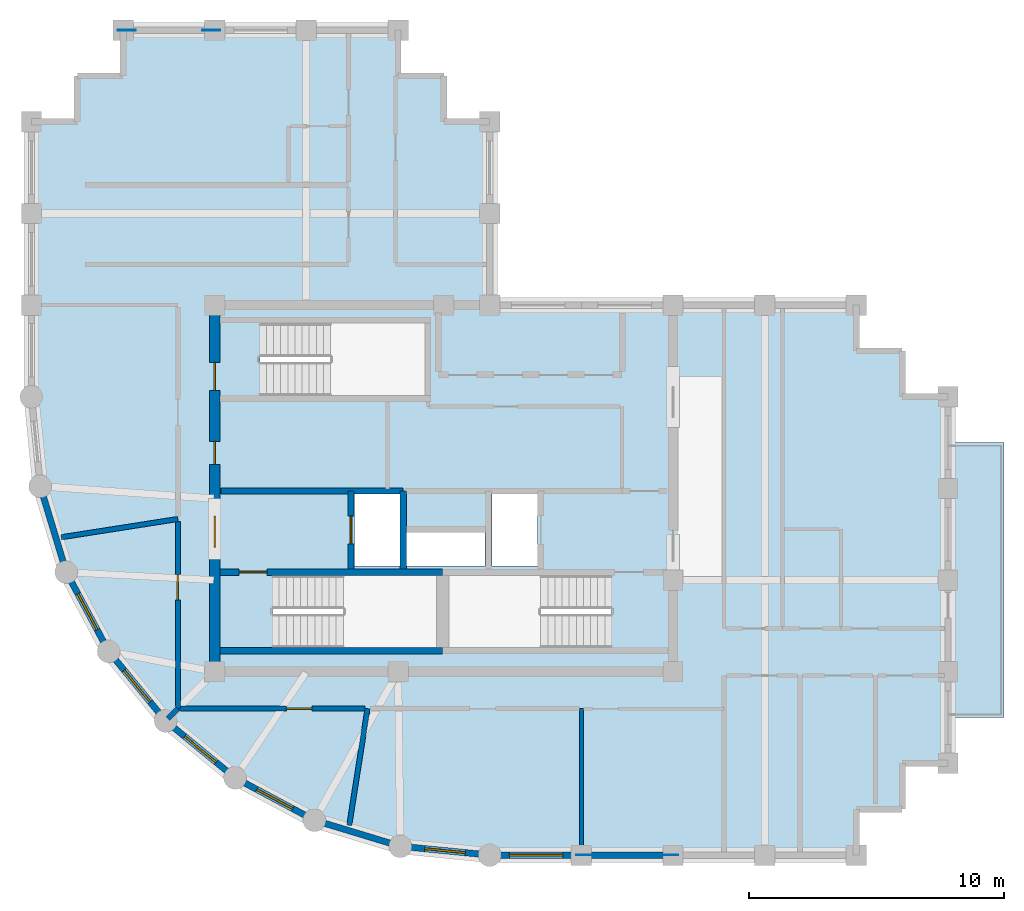
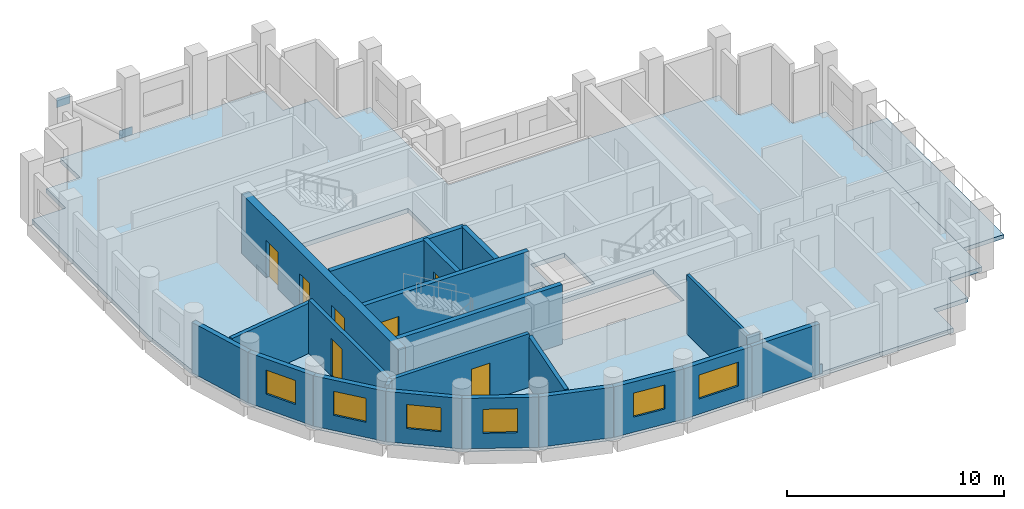
# One storey, part 2 of 6: 21 walls, 7 doors, 6 windows, 4 plates, 2 slabs, 13 openings.
"""IFC4 building model written with IfcOpenShell, lengths in metres."""

import ifcopenshell
import ifcopenshell.guid

model = None  # the IFC model being written
_history = None  # IfcOwnerHistory: only IFC2X3 demands one
_inside = {}  # id of a spatial element -> (the spatial element, [elements in it])
_under = {}  # id of a project, library or spatial element -> (it, [spatial elements below it])
_declared = {}  # id of a project -> (the project, [libraries it declares])
_typed = {}  # id of a type object -> (the type object, [elements of that type])
_made_of = {}  # id of a material, layer set ... -> (it, [elements and type objects made of it])


def new_model(schema):
    """Start an empty IFC model of exactly this schema.

    Asked for "IFC4X3", IfcOpenShell would pick the latest addendum, in which some entities
    have other attributes; the version numbers below select the first issue.
    IFC2X3 requires an IfcOwnerHistory on every rooted entity: one is made here for all.
    """
    global model, _history
    if schema == "IFC4X3":
        model = ifcopenshell.file(schema_version=(4, 3, 0, 0))
    else:
        model = ifcopenshell.file(schema=schema)
    _inside.clear()
    _under.clear()
    _declared.clear()
    _typed.clear()
    _made_of.clear()
    _history = None
    if model.schema == "IFC2X3":
        org = make("IfcOrganization", Name="unknown")
        user = make(
            "IfcPersonAndOrganization",
            ThePerson=make("IfcPerson", FamilyName="unknown"),
            TheOrganization=org,
        )
        app = make(
            "IfcApplication",
            ApplicationDeveloper=org,
            Version="unknown",
            ApplicationFullName="unknown",
            ApplicationIdentifier="unknown",
        )
        _history = make(
            "IfcOwnerHistory",
            OwningUser=user,
            OwningApplication=app,
            ChangeAction="ADDED",
            CreationDate=0,
        )
    return model


def make(cls, **values):
    """One entity of the class cls with the attributes given. An attribute that is None is left unset."""
    return model.create_entity(
        cls, **{name: value for name, value in values.items() if value is not None}
    )


def rooted(cls, **values):
    """An entity with a GlobalId (a new one), such as an element, a storey or a relation."""
    return make(cls, GlobalId=ifcopenshell.guid.new(), OwnerHistory=_history, **values)


def si_unit(unit_type, name, prefix=None):
    """IfcSIUnit, for example si_unit("LENGTHUNIT", "METRE", prefix="MILLI")."""
    return make("IfcSIUnit", UnitType=unit_type, Prefix=prefix, Name=name)


def assignment(units):
    """IfcUnitAssignment: the units of a project."""
    return None if units is None else make("IfcUnitAssignment", Units=units)


def point(xyz):
    """IfcCartesianPoint."""
    return None if xyz is None else make("IfcCartesianPoint", Coordinates=xyz)


def direction(xyz):
    """IfcDirection."""
    return None if xyz is None else make("IfcDirection", DirectionRatios=xyz)


def frame(location, z_axis=None, x_axis=None):
    """IfcAxis2Placement3D, a coordinate frame: its origin and axes. An axis left out is left unset."""
    return make(
        "IfcAxis2Placement3D",
        Location=point(location),
        Axis=direction(z_axis),
        RefDirection=direction(x_axis),
    )


def frame_2d(location, x_axis=None):
    """IfcAxis2Placement2D, a coordinate frame in the plane: its origin and x axis."""
    return make(
        "IfcAxis2Placement2D", Location=point(location), RefDirection=direction(x_axis)
    )


def origin():
    """The frame at (0, 0, 0) with its axes left unset."""
    return frame((0.0, 0.0, 0.0))


def origin_2d():
    """The frame at (0, 0) in the plane with its x axis left unset."""
    return frame_2d((0.0, 0.0))


def place(relative_to, where):
    """IfcLocalPlacement: puts the frame where relative to a parent placement (None: the world)."""
    return make(
        "IfcLocalPlacement", PlacementRelTo=relative_to, RelativePlacement=where
    )


def context(
    kind, dimensions, precision=None, world=None, true_north=None, identifier=None
):
    """IfcGeometricRepresentationContext, for example the 3D "Model" context."""
    return make(
        "IfcGeometricRepresentationContext",
        ContextIdentifier=identifier,
        ContextType=kind,
        CoordinateSpaceDimension=dimensions,
        Precision=precision,
        WorldCoordinateSystem=world,
        TrueNorth=true_north,
    )


def subcontext(parent, identifier, kind, view, scale=None):
    """IfcGeometricRepresentationSubContext, for example "Body" below "Model"."""
    return make(
        "IfcGeometricRepresentationSubContext",
        ContextIdentifier=identifier,
        ContextType=kind,
        ParentContext=parent,
        TargetScale=scale,
        TargetView=view,
    )


def project(units=None, contexts=None):
    """IfcProject with its units and contexts."""
    return rooted(
        "IfcProject",
        Name="project",
        RepresentationContexts=contexts,
        UnitsInContext=assignment(units),
    )


def spatial(cls, under=None, at=None, **own):
    """A site, building, storey or space (cls), placed at a placement, below another one or the project."""
    s = rooted(cls, ObjectPlacement=at, **own)
    if under is not None:
        _under.setdefault(under.id(), (under, []))[1].append(s)
    return s


def polyline(points):
    """IfcPolyline through the points."""
    return make("IfcPolyline", Points=[point(p) for p in points])


def profile(cls, at=None, kind="AREA", **sizes):
    """A parametric profile (cls). Its sizes go by their IFC names, for example OverallWidth=200.0."""
    return make(cls, ProfileType=kind, Position=at, **sizes)


def rectangle(**sizes):
    """IfcRectangleProfileDef."""
    return profile("IfcRectangleProfileDef", **sizes)


def outline(outer, holes=None, kind="AREA"):
    """IfcArbitraryClosedProfileDef: a profile drawn as a closed curve; with holes, ...WithVoids."""
    if holes is None:
        return make("IfcArbitraryClosedProfileDef", ProfileType=kind, OuterCurve=outer)
    return make(
        "IfcArbitraryProfileDefWithVoids",
        ProfileType=kind,
        OuterCurve=outer,
        InnerCurves=holes,
    )


def extrude(swept, where, along, depth):
    """IfcExtrudedAreaSolid: the profile swept, set in the frame where, extruded along a direction by depth."""
    return make(
        "IfcExtrudedAreaSolid",
        SweptArea=swept,
        Position=where,
        ExtrudedDirection=direction(along),
        Depth=depth,
    )


def shape(context_of_items, identifier, shape_type, items):
    """IfcShapeRepresentation: the items that make up one representation, for example the "Body"."""
    return make(
        "IfcShapeRepresentation",
        ContextOfItems=context_of_items,
        RepresentationIdentifier=identifier,
        RepresentationType=shape_type,
        Items=items,
    )


def material(Name=None, Category=None):
    """IfcMaterial."""
    return make("IfcMaterial", Name=Name, Category=Category)


def layer(
    of_material, thickness, ventilated=None, Name=None, Category=None, Priority=None
):
    """IfcMaterialLayer: one layer of a wall or slab, of a material (None: an air gap)."""
    return make(
        "IfcMaterialLayer",
        Material=of_material,
        LayerThickness=thickness,
        IsVentilated=ventilated,
        Name=Name,
        Category=Category,
        Priority=Priority,
    )


def layer_set(layers, Name=None):
    """IfcMaterialLayerSet."""
    return make("IfcMaterialLayerSet", MaterialLayers=layers, LayerSetName=Name)


def made_of(thing, what):
    """Note that an element or type object is made of a material, layer set ...; save() writes the relation."""
    if what is not None:
        _made_of.setdefault(what.id(), (what, []))[1].append(thing)
    return thing


def type_object(cls, material=None, **own):
    """A type object (cls), such as IfcWallType, which elements share."""
    return made_of(rooted(cls, **own), material)


def element(
    cls,
    number,
    at=None,
    inside=None,
    cuts=None,
    type_object=None,
    material=None,
    context=None,
    identifier="Body",
    shape_type=None,
    held_by="IfcProductDefinitionShape",
    body=None,
    shapes=None,
    **own,
):
    """One element of the class cls, such as IfcWall. Its Tag is "e" and its number.

    at: its placement. inside: the storey or other place that contains it. cuts: it is an
    opening in that element (IfcRelVoidsElement). A single representation is given by context,
    identifier, shape_type and body (its items); several are given by shapes. held_by: the class
    of the entity that holds the representations. save() writes the other relations.
    """
    e = rooted(cls, Tag="e%d" % number, ObjectPlacement=at, **own)
    if body is not None:
        shapes = [shape(context, identifier, shape_type, body)]
    if shapes is not None:
        e.Representation = make(held_by, Representations=shapes)
    if inside is not None:
        _inside.setdefault(inside.id(), (inside, []))[1].append(e)
    if cuts is not None:
        rooted(
            "IfcRelVoidsElement", RelatingBuildingElement=cuts, RelatedOpeningElement=e
        )
    if type_object is not None:
        _typed.setdefault(type_object.id(), (type_object, []))[1].append(e)
    return made_of(e, material)


def fill(opening, filler):
    """IfcRelFillsElement: the door or window that sits in an opening."""
    return rooted(
        "IfcRelFillsElement",
        RelatingOpeningElement=opening,
        RelatedBuildingElement=filler,
    )


def aggregate(whole, parts):
    """IfcRelAggregates: a whole, such as a stair, and the parts it consists of."""
    return rooted("IfcRelAggregates", RelatingObject=whole, RelatedObjects=parts)


def save(model, path):
    """Write the relations noted so far, then the file.

    IfcRelAggregates (storeys below a building ...), IfcRelContainedInSpatialStructure (elements
    in a storey), IfcRelDefinesByType, IfcRelAssociatesMaterial and IfcRelDeclares: one each for
    every whole, place, type object, material and project.
    """
    for whole, parts in _under.values():
        aggregate(whole, parts)
    for where, things in _inside.values():
        rooted(
            "IfcRelContainedInSpatialStructure",
            RelatedElements=things,
            RelatingStructure=where,
        )
    for kind, things in _typed.values():
        rooted("IfcRelDefinesByType", RelatedObjects=things, RelatingType=kind)
    for what, things in _made_of.values():
        rooted("IfcRelAssociatesMaterial", RelatedObjects=things, RelatingMaterial=what)
    for by, libraries in _declared.values():
        rooted("IfcRelDeclares", RelatingContext=by, RelatedDefinitions=libraries)
    model.write(path)


model = new_model("IFC4")

# Units and contexts
model_context = context("Model", 3, precision=1e-05, world=origin(), true_north=direction((0.0, 1.0)))
body_context = subcontext(model_context, "Body", "Model", "MODEL_VIEW")
ifc_project = project(units=[si_unit("LENGTHUNIT", "METRE"), si_unit("AREAUNIT", "SQUARE_METRE"), si_unit("VOLUMEUNIT", "CUBIC_METRE"), si_unit("PLANEANGLEUNIT", "RADIAN"), si_unit("MASSUNIT", "GRAM", prefix="KILO")], contexts=[model_context])

# Site, building, storey
site_placement = place(None, origin())
site = spatial("IfcSite", under=ifc_project, at=site_placement, CompositionType="ELEMENT")
building_placement = place(site_placement, origin())
building = spatial("IfcBuilding", under=site, at=building_placement, Name="Solnavia Interchange Tower", CompositionType="ELEMENT")
storey_placement = place(building_placement, frame((0.0, 0.0, 224.60009765625)))
storey = spatial("IfcBuildingStorey", under=building, at=storey_placement, Name="L56", CompositionType="ELEMENT", Elevation=224.60009765625)

# Plates
ifc_material_1 = material(Name="Steel S460", Category="steel")
ifc_layer_1 = layer(ifc_material_1, 0.030029296875)
ifc_layer_set_1 = layer_set([ifc_layer_1], Name="Steel S460")
plate_type = type_object("IfcPlateType", Name="Plate-Gusset-700x520x30", PredefinedType="USERDEFINED", material=ifc_layer_set_1)
for number, where, z_axis, x_axis, name in (
    (1, (32.260009765625, 3.60009765625, -0.080078125), (0.0, 0.0, 1.0), (-1.0, 0.0, 0.0), "PLT-L56-GP01 Perimeter brace gusset plate"),
    (2, (28.93994140625, 3.60009765625, 2.909912109375), (0.0, 0.0, 1.0), (-1.0, 0.0, 0.0), "PLT-L56-GP02 Perimeter brace gusset plate"),
    (3, (14.260009765625, 36.0, -0.080078125), (0.0, 0.0, 1.0), (-1.0, 0.0, 0.0), "PLT-L56-GP03 Perimeter brace gusset plate"),
    (4, (10.93994140625, 36.0, 2.909912109375), (0.0, 0.0, 1.0), (-1.0, 0.0, 0.0), "PLT-L56-GP04 Perimeter brace gusset plate"),
):
    element("IfcPlate", number, at=place(storey_placement, frame(where, z_axis=z_axis, x_axis=x_axis)), inside=storey, type_object=plate_type, Name=name, ObjectType="GUSSET PLATE", PredefinedType="USERDEFINED", context=body_context, shape_type="SweptSolid", body=[
        extrude(rectangle(XDim=0.699951171875, YDim=0.030029296875, at=origin_2d()), origin(), (0.0, 0.0, 1.0), 0.52001953125),
    ])

# Slabs
ifc_material_2 = material(Name="Concrete C40/50", Category="concrete")
ifc_layer_2 = layer(ifc_material_2, 0.219970703125)
ifc_layer_set_2 = layer_set([ifc_layer_2], Name="Concrete C40/50")
slab_type_1 = type_object("IfcSlabType", Name="Slab-Terrace-220", PredefinedType="FLOOR", material=ifc_layer_set_2)
slab_1_placement = place(storey_placement, frame((0.0, 0.0, -0.260009765625)))
element("IfcSlab", 5, at=slab_1_placement, inside=storey, type_object=slab_type_1, Name="TER-L56-01 Outdoor spiral terrace slab", PredefinedType="FLOOR", context=body_context, shape_type="SweptSolid", body=[
    extrude(outline(polyline([(43.199951171875, 9.0), (45.39990234375, 9.0), (45.39990234375, 19.800048828125), (43.199951171875, 19.800048828125), (43.199951171875, 9.0)])), origin(), (0.0, 0.0, 1.0), 0.219970703125),
])
ifc_layer_3 = layer(ifc_material_2, 0.25)
ifc_layer_set_3 = layer_set([ifc_layer_3], Name="Concrete C40/50")
slab_type_2 = type_object("IfcSlabType", Name="Slab-Tower-250", PredefinedType="FLOOR", material=ifc_layer_set_3)
slab_2_placement = place(storey_placement, frame((0.0, 0.0, -0.25)))
element("IfcSlab", 6, at=slab_2_placement, inside=storey, type_object=slab_type_2, Name="SLB-L56-01 Structural floor slab", PredefinedType="FLOOR", context=body_context, shape_type="SweptSolid", body=[
    extrude(outline(polyline([(25.199951171875, 3.60009765625), (39.60009765625, 3.60009765625), (39.60009765625, 5.39990234375), (41.39990234375, 5.39990234375), (41.39990234375, 7.199951171875), (43.199951171875, 7.199951171875), (43.199951171875, 21.60009765625), (41.39990234375, 21.60009765625), (41.39990234375, 23.39990234375), (39.60009765625, 23.39990234375), (39.60009765625, 25.199951171875), (25.199951171875, 25.199951171875), (25.199951171875, 32.39990234375), (23.39990234375, 32.39990234375), (23.39990234375, 34.199951171875), (21.60009765625, 34.199951171875), (21.60009765625, 36.0), (10.800048828125, 36.0), (10.800048828125, 34.199951171875), (9.0, 34.199951171875), (9.0, 32.39990234375), (7.199951171875, 32.39990234375), (7.199951171875, 21.60009765625), (7.5458984375, 18.087890625), (8.570068359375, 14.7119140625), (10.23388671875, 11.60009765625), (12.471923828125, 8.8720703125), (15.199951171875, 6.634033203125), (18.31201171875, 4.969970703125), (21.68798828125, 3.946044921875), (25.199951171875, 3.60009765625)]), holes=[polyline([(16.675048828125, 11.75), (23.10009765625, 11.75), (23.10009765625, 14.590087890625), (16.675048828125, 14.590087890625), (16.675048828125, 11.75)]), polyline([(23.60009765625, 11.75), (29.97509765625, 11.75), (29.97509765625, 14.590087890625), (23.60009765625, 14.590087890625), (23.60009765625, 11.75)]), polyline([(16.175048828125, 21.64990234375), (22.64990234375, 21.64990234375), (22.64990234375, 24.489990234375), (16.175048828125, 24.489990234375), (16.175048828125, 21.64990234375)]), polyline([(19.8798828125, 14.9599609375), (21.679931640625, 14.9599609375), (21.679931640625, 17.780029296875), (19.8798828125, 17.780029296875), (19.8798828125, 14.9599609375)]), polyline([(25.280029296875, 14.9599609375), (27.080078125, 14.9599609375), (27.080078125, 17.780029296875), (25.280029296875, 17.780029296875), (25.280029296875, 14.9599609375)]), polyline([(21.919921875, 14.9599609375), (25.02001953125, 14.9599609375), (25.02001953125, 16.280029296875), (21.919921875, 16.280029296875), (21.919921875, 14.9599609375)])]), origin(), (0.0, 0.0, 1.0), 0.25),
])

# Walls
ifc_material_3 = material(Name="Gypsum Acoustic Twin-Stud & Mineral Wool", Category="gypsum")
ifc_layer_4 = layer(ifc_material_3, 0.199951171875)
ifc_layer_set_4 = layer_set([ifc_layer_4], Name="Gypsum Acoustic Twin-Stud & Mineral Wool")
wall_type_1 = type_object("IfcWallType", Name="Wall-ApartmentParty-200", PredefinedType="PARTITIONING", material=ifc_layer_set_4)
wall_1_placement = place(storey_placement, frame((12.949951171875, 16.800048828125, 0.0), z_axis=(0.0, 0.0, 1.0), x_axis=(-0.9879733582, -0.154624200844, 0.0)))
element("IfcWall", 7, at=wall_1_placement, inside=storey, type_object=wall_type_1, Name="PTW-L56-09 Interior partition wall", PredefinedType="PARTITIONING", context=body_context, shape_type="SweptSolid", body=[
    extrude(rectangle(XDim=4.63720703125, YDim=0.199951171875, at=frame_2d((2.318603515625, 0.0))), origin(), (0.0, 0.0, 1.0), 2.829833984375),
])
wall_2_placement = place(storey_placement, frame((12.949951171875, 9.35009765625, 0.0), z_axis=(0.0, 0.0, 1.0), x_axis=(-0.706883613527, -0.707329878435, 0.0)))
element("IfcWall", 8, at=wall_2_placement, inside=storey, type_object=wall_type_1, Name="PTW-L56-10 Interior partition wall", PredefinedType="PARTITIONING", context=body_context, shape_type="SweptSolid", body=[
    extrude(rectangle(XDim=0.547119140625, YDim=0.199951171875, at=frame_2d((0.2734375, 0.0))), origin(), (0.0, 0.0, 1.0), 3.02001953125),
])
wall_3_placement = place(storey_placement, frame((20.39990234375, 9.35009765625, 0.0), z_axis=(0.0, 0.0, 1.0), x_axis=(-0.154564772307, -0.987982657318, 0.0)))
element("IfcWall", 9, at=wall_3_placement, inside=storey, type_object=wall_type_1, Name="PTW-L56-11 Interior partition wall", PredefinedType="PARTITIONING", context=body_context, shape_type="SweptSolid", body=[
    extrude(rectangle(XDim=4.637451171875, YDim=0.199951171875, at=frame_2d((2.31884765625, 0.0))), origin(), (0.0, 0.0, 1.0), 2.829833984375),
])

# Wall, opening, door
wall_4_placement = place(storey_placement, frame((12.949951171875, 9.35009765625, 0.0), z_axis=(0.0, 0.0, 1.0), x_axis=(0.0, 1.0, 0.0)))
wall_4 = element("IfcWall", 10, at=wall_4_placement, inside=storey, type_object=wall_type_1, Name="PTW-L56-13 Interior partition wall", PredefinedType="PARTITIONING", context=body_context, shape_type="SweptSolid", body=[
    extrude(rectangle(XDim=7.345947265625, YDim=0.199951171875, at=frame_2d((3.6728515625, 0.0))), origin(), (0.0, 0.0, 1.0), 3.02001953125),
])
opening_1_placement = place(wall_4_placement, frame((4.260986328125, 0.0, 0.0)))
opening_1 = element("IfcOpeningElement", 11, at=opening_1_placement, cuts=wall_4, Name="Opening DR-07", PredefinedType="OPENING", context=body_context, shape_type="SweptSolid", body=[
    extrude(rectangle(XDim=1.0, YDim=2.10009765625, at=frame_2d((0.5, 1.050048828125))), frame((0.0, 0.10986328125, 0.0), z_axis=(0.0, -1.0, 0.0), x_axis=(1.0, 0.0, 0.0)), (0.0, 0.0, 1.0), 0.219970703125),
])
ifc_material_4 = material(Name="Timber & Acoustic Glazed Office Door", Category="wood")
door_type_1 = type_object("IfcDoorType", Name="Door-Office-1000x2100", OperationType="SINGLE_SWING_RIGHT", PredefinedType="DOOR", material=ifc_material_4)
door_1_placement = place(opening_1_placement, origin())
door_1 = element("IfcDoor", 12, at=door_1_placement, inside=storey, type_object=door_type_1, Name="DR-L56-04 Interior room door", OperationType="SINGLE_SWING_RIGHT", OverallHeight=2.10009765625, OverallWidth=1.0, PredefinedType="DOOR", context=body_context, shape_type="SweptSolid", body=[
    extrude(rectangle(XDim=1.0, YDim=2.10009765625, at=frame_2d((0.5, 1.050048828125))), frame((0.0, 0.02490234375, 0.0), z_axis=(0.0, -1.0, 0.0), x_axis=(1.0, 0.0, 0.0)), (0.0, 0.0, 1.0), 0.050048828125),
])
fill(opening_1, door_1)

wall_5_placement = place(storey_placement, frame((12.949951171875, 9.35009765625, 0.0), z_axis=(0.0, 0.0, 1.0), x_axis=(1.0, 0.0, 0.0)))
wall_5 = element("IfcWall", 13, at=wall_5_placement, inside=storey, type_object=wall_type_1, Name="PTW-L56-14 Interior partition wall", PredefinedType="PARTITIONING", context=body_context, shape_type="SweptSolid", body=[
    extrude(rectangle(XDim=7.345947265625, YDim=0.199951171875, at=frame_2d((3.6728515625, 0.0))), origin(), (0.0, 0.0, 1.0), 3.02001953125),
])
opening_2_placement = place(wall_5_placement, frame((4.260986328125, 0.0, 0.0)))
opening_2 = element("IfcOpeningElement", 14, at=opening_2_placement, cuts=wall_5, Name="Opening DR-07", PredefinedType="OPENING", context=body_context, shape_type="SweptSolid", body=[
    extrude(rectangle(XDim=1.0, YDim=2.10009765625, at=frame_2d((0.5, 1.050048828125))), frame((0.0, 0.10986328125, 0.0), z_axis=(0.0, -1.0, 0.0), x_axis=(1.0, 0.0, 0.0)), (0.0, 0.0, 1.0), 0.219970703125),
])
door_2_placement = place(opening_2_placement, origin())
door_2 = element("IfcDoor", 15, at=door_2_placement, inside=storey, type_object=door_type_1, Name="DR-L56-05 Interior room door", OperationType="SINGLE_SWING_LEFT", OverallHeight=2.10009765625, OverallWidth=1.0, PredefinedType="DOOR", context=body_context, shape_type="SweptSolid", body=[
    extrude(rectangle(XDim=1.0, YDim=2.10009765625, at=frame_2d((0.5, 1.050048828125))), frame((0.0, 0.02490234375, 0.0), z_axis=(0.0, -1.0, 0.0), x_axis=(1.0, 0.0, 0.0)), (0.0, 0.0, 1.0), 0.050048828125),
])
fill(opening_2, door_2)

# Wall, opening, window
ifc_layer_5 = layer(ifc_material_2, 0.25)
ifc_layer_set_5 = layer_set([ifc_layer_5], Name="Concrete C40/50")
wall_type_2 = type_object("IfcWallType", Name="Wall-ExtSpandrel-250", PredefinedType="STANDARD", material=ifc_layer_set_5)
wall_6_placement = place(storey_placement, frame((28.800048828125, 3.60009765625, 0.0), z_axis=(0.0, 0.0, 1.0), x_axis=(-1.0, 0.0, 0.0)))
wall_6 = element("IfcWall", 16, at=wall_6_placement, inside=storey, type_object=wall_type_2, Name="EXW-L56-01 Exterior precast spandrel wall", PredefinedType="STANDARD", context=body_context, shape_type="SweptSolid", body=[
    extrude(rectangle(XDim=3.60009765625, YDim=0.25, at=frame_2d((1.800048828125, 0.0))), origin(), (0.0, 0.0, 1.0), 2.829833984375),
])
opening_3_placement = place(wall_6_placement, frame((0.72509765625, 0.0, 0.85009765625)))
opening_3 = element("IfcOpeningElement", 17, at=opening_3_placement, cuts=wall_6, Name="Opening WIN-01", PredefinedType="OPENING", context=body_context, shape_type="SweptSolid", body=[
    extrude(rectangle(XDim=2.10009765625, YDim=1.35009765625, at=frame_2d((1.050048828125, 0.675048828125))), frame((0.0, 0.135009765625, 0.0), z_axis=(0.0, -1.0, 0.0), x_axis=(1.0, 0.0, 0.0)), (0.0, 0.0, 1.0), 0.27001953125),
])
ifc_material_5 = material(Name="Thermal-Break Aluminium & Low-E Glass", Category="aluminium")
window_type_1 = type_object("IfcWindowType", Name="Window-Ribbon-2100x1350", PartitioningType="SINGLE_PANEL", PredefinedType="WINDOW", material=ifc_material_5)
window_1_placement = place(opening_3_placement, origin())
window_1 = element("IfcWindow", 18, at=window_1_placement, inside=storey, type_object=window_type_1, Name="WIN-L56-01 Facade ribbon window", OverallHeight=1.35009765625, OverallWidth=2.10009765625, PartitioningType="SINGLE_PANEL", PredefinedType="WINDOW", context=body_context, shape_type="SweptSolid", body=[
    extrude(rectangle(XDim=2.10009765625, YDim=1.35009765625, at=frame_2d((1.050048828125, 0.675048828125))), frame((0.0, 0.030029296875, 0.0), z_axis=(0.0, -1.0, 0.0), x_axis=(1.0, 0.0, 0.0)), (0.0, 0.0, 1.0), 0.06005859375),
])
fill(opening_3, window_1)

# Walls
wall_7_placement = place(storey_placement, frame((32.39990234375, 3.60009765625, 0.0), z_axis=(0.0, 0.0, 1.0), x_axis=(-1.0, 0.0, 0.0)))
element("IfcWall", 19, at=wall_7_placement, inside=storey, type_object=wall_type_2, Name="EXW-L56-02 Exterior precast spandrel wall", PredefinedType="STANDARD", context=body_context, shape_type="SweptSolid", body=[
    extrude(rectangle(XDim=3.599853515625, YDim=0.25, at=frame_2d((1.7998046875, 0.0))), origin(), (0.0, 0.0, 1.0), 2.829833984375),
])
wall_8_placement = place(storey_placement, frame((8.570068359375, 14.7119140625, 0.0), z_axis=(0.0, 0.0, 1.0), x_axis=(-0.290305086481, 0.956934144423, 0.0)))
element("IfcWall", 20, at=wall_8_placement, inside=storey, type_object=wall_type_2, Name="EXW-L56-38 Exterior precast spandrel wall", PredefinedType="STANDARD", context=body_context, shape_type="SweptSolid", body=[
    extrude(rectangle(XDim=3.52783203125, YDim=0.25, at=frame_2d((1.763916015625, 0.0))), origin(), (0.0, 0.0, 1.0), 2.829833984375),
])

# Wall, opening, window
wall_9_placement = place(storey_placement, frame((10.23388671875, 11.60009765625, 0.0), z_axis=(0.0, 0.0, 1.0), x_axis=(-0.47151087309, 0.881860247748, 0.0)))
wall_9 = element("IfcWall", 21, at=wall_9_placement, inside=storey, type_object=wall_type_2, Name="EXW-L56-39 Exterior precast spandrel wall", PredefinedType="STANDARD", context=body_context, shape_type="SweptSolid", body=[
    extrude(rectangle(XDim=3.52880859375, YDim=0.25, at=frame_2d((1.764404296875, 0.0))), origin(), (0.0, 0.0, 1.0), 2.829833984375),
])
opening_4_placement = place(wall_9_placement, frame((0.964111328125, 0.0, 0.85009765625)))
opening_4 = element("IfcOpeningElement", 22, at=opening_4_placement, cuts=wall_9, Name="Opening WIN-04", PredefinedType="OPENING", context=body_context, shape_type="SweptSolid", body=[
    extrude(rectangle(XDim=1.60009765625, YDim=1.35009765625, at=frame_2d((0.800048828125, 0.675048828125))), frame((0.0, 0.135009765625, 0.0), z_axis=(0.0, -1.0, 0.0), x_axis=(1.0, 0.0, 0.0)), (0.0, 0.0, 1.0), 0.27001953125),
])
window_type_2 = type_object("IfcWindowType", Name="Window-Drum-1600x1350", PartitioningType="SINGLE_PANEL", PredefinedType="WINDOW", material=ifc_material_5)
window_2_placement = place(opening_4_placement, origin())
window_2 = element("IfcWindow", 23, at=window_2_placement, inside=storey, type_object=window_type_2, Name="WIN-L56-39 Facade ribbon window", OverallHeight=1.35009765625, OverallWidth=1.60009765625, PartitioningType="SINGLE_PANEL", PredefinedType="WINDOW", context=body_context, shape_type="SweptSolid", body=[
    extrude(rectangle(XDim=1.60009765625, YDim=1.35009765625, at=frame_2d((0.800048828125, 0.675048828125))), frame((0.0, 0.030029296875, 0.0), z_axis=(0.0, -1.0, 0.0), x_axis=(1.0, 0.0, 0.0)), (0.0, 0.0, 1.0), 0.06005859375),
])
fill(opening_4, window_2)

wall_10_placement = place(storey_placement, frame((12.471923828125, 8.8720703125, 0.0), z_axis=(0.0, 0.0, 1.0), x_axis=(-0.634258295121, 0.773121216285, 0.0)))
wall_10 = element("IfcWall", 24, at=wall_10_placement, inside=storey, type_object=wall_type_2, Name="EXW-L56-40 Exterior precast spandrel wall", PredefinedType="STANDARD", context=body_context, shape_type="SweptSolid", body=[
    extrude(rectangle(XDim=3.528564453125, YDim=0.25, at=frame_2d((1.76416015625, 0.0))), origin(), (0.0, 0.0, 1.0), 2.829833984375),
])
opening_5_placement = place(wall_10_placement, frame((0.964111328125, 0.0, 0.85009765625)))
opening_5 = element("IfcOpeningElement", 25, at=opening_5_placement, cuts=wall_10, Name="Opening WIN-04", PredefinedType="OPENING", context=body_context, shape_type="SweptSolid", body=[
    extrude(rectangle(XDim=1.60009765625, YDim=1.35009765625, at=frame_2d((0.800048828125, 0.675048828125))), frame((0.0, 0.135009765625, 0.0), z_axis=(0.0, -1.0, 0.0), x_axis=(1.0, 0.0, 0.0)), (0.0, 0.0, 1.0), 0.27001953125),
])
window_3_placement = place(opening_5_placement, origin())
window_3 = element("IfcWindow", 26, at=window_3_placement, inside=storey, type_object=window_type_2, Name="WIN-L56-40 Facade ribbon window", OverallHeight=1.35009765625, OverallWidth=1.60009765625, PartitioningType="SINGLE_PANEL", PredefinedType="WINDOW", context=body_context, shape_type="SweptSolid", body=[
    extrude(rectangle(XDim=1.60009765625, YDim=1.35009765625, at=frame_2d((0.800048828125, 0.675048828125))), frame((0.0, 0.030029296875, 0.0), z_axis=(0.0, -1.0, 0.0), x_axis=(1.0, 0.0, 0.0)), (0.0, 0.0, 1.0), 0.06005859375),
])
fill(opening_5, window_3)

wall_11_placement = place(storey_placement, frame((15.199951171875, 6.634033203125, 0.0), z_axis=(0.0, 0.0, 1.0), x_axis=(-0.773121216285, 0.634258295121, 0.0)))
wall_11 = element("IfcWall", 27, at=wall_11_placement, inside=storey, type_object=wall_type_2, Name="EXW-L56-41 Exterior precast spandrel wall", PredefinedType="STANDARD", context=body_context, shape_type="SweptSolid", body=[
    extrude(rectangle(XDim=3.528564453125, YDim=0.25, at=frame_2d((1.76416015625, 0.0))), origin(), (0.0, 0.0, 1.0), 2.829833984375),
])
opening_6_placement = place(wall_11_placement, frame((0.964111328125, 0.0, 0.85009765625)))
opening_6 = element("IfcOpeningElement", 28, at=opening_6_placement, cuts=wall_11, Name="Opening WIN-04", PredefinedType="OPENING", context=body_context, shape_type="SweptSolid", body=[
    extrude(rectangle(XDim=1.60009765625, YDim=1.35009765625, at=frame_2d((0.800048828125, 0.675048828125))), frame((0.0, 0.135009765625, 0.0), z_axis=(0.0, -1.0, 0.0), x_axis=(1.0, 0.0, 0.0)), (0.0, 0.0, 1.0), 0.27001953125),
])
window_4_placement = place(opening_6_placement, origin())
window_4 = element("IfcWindow", 29, at=window_4_placement, inside=storey, type_object=window_type_2, Name="WIN-L56-41 Facade ribbon window", OverallHeight=1.35009765625, OverallWidth=1.60009765625, PartitioningType="SINGLE_PANEL", PredefinedType="WINDOW", context=body_context, shape_type="SweptSolid", body=[
    extrude(rectangle(XDim=1.60009765625, YDim=1.35009765625, at=frame_2d((0.800048828125, 0.675048828125))), frame((0.0, 0.030029296875, 0.0), z_axis=(0.0, -1.0, 0.0), x_axis=(1.0, 0.0, 0.0)), (0.0, 0.0, 1.0), 0.06005859375),
])
fill(opening_6, window_4)

wall_12_placement = place(storey_placement, frame((18.31201171875, 4.969970703125, 0.0), z_axis=(0.0, 0.0, 1.0), x_axis=(-0.881846862014, 0.471535907389, 0.0)))
wall_12 = element("IfcWall", 30, at=wall_12_placement, inside=storey, type_object=wall_type_2, Name="EXW-L56-42 Exterior precast spandrel wall", PredefinedType="STANDARD", context=body_context, shape_type="SweptSolid", body=[
    extrude(rectangle(XDim=3.529052734375, YDim=0.25, at=frame_2d((1.7646484375, 0.0))), origin(), (0.0, 0.0, 1.0), 2.829833984375),
])
opening_7_placement = place(wall_12_placement, frame((0.964111328125, 0.0, 0.85009765625)))
opening_7 = element("IfcOpeningElement", 31, at=opening_7_placement, cuts=wall_12, Name="Opening WIN-04", PredefinedType="OPENING", context=body_context, shape_type="SweptSolid", body=[
    extrude(rectangle(XDim=1.60009765625, YDim=1.35009765625, at=frame_2d((0.800048828125, 0.675048828125))), frame((0.0, 0.135009765625, 0.0), z_axis=(0.0, -1.0, 0.0), x_axis=(1.0, 0.0, 0.0)), (0.0, 0.0, 1.0), 0.27001953125),
])
window_5_placement = place(opening_7_placement, origin())
window_5 = element("IfcWindow", 32, at=window_5_placement, inside=storey, type_object=window_type_2, Name="WIN-L56-42 Facade ribbon window", OverallHeight=1.35009765625, OverallWidth=1.60009765625, PartitioningType="SINGLE_PANEL", PredefinedType="WINDOW", context=body_context, shape_type="SweptSolid", body=[
    extrude(rectangle(XDim=1.60009765625, YDim=1.35009765625, at=frame_2d((0.800048828125, 0.675048828125))), frame((0.0, 0.030029296875, 0.0), z_axis=(0.0, -1.0, 0.0), x_axis=(1.0, 0.0, 0.0)), (0.0, 0.0, 1.0), 0.06005859375),
])
fill(opening_7, window_5)

# Wall
wall_13_placement = place(storey_placement, frame((21.68798828125, 3.946044921875, 0.0), z_axis=(0.0, 0.0, 1.0), x_axis=(-0.956953367403, 0.290241714123, 0.0)))
element("IfcWall", 33, at=wall_13_placement, inside=storey, type_object=wall_type_2, Name="EXW-L56-43 Exterior precast spandrel wall", PredefinedType="STANDARD", context=body_context, shape_type="SweptSolid", body=[
    extrude(rectangle(XDim=3.52783203125, YDim=0.25, at=frame_2d((1.763916015625, 0.0))), origin(), (0.0, 0.0, 1.0), 2.829833984375),
])

# Wall, opening, window
wall_14_placement = place(storey_placement, frame((25.199951171875, 3.60009765625, 0.0), z_axis=(0.0, 0.0, 1.0), x_axis=(-0.995183369056, 0.098030923459, 0.0)))
wall_14 = element("IfcWall", 34, at=wall_14_placement, inside=storey, type_object=wall_type_2, Name="EXW-L56-44 Exterior precast spandrel wall", PredefinedType="STANDARD", context=body_context, shape_type="SweptSolid", body=[
    extrude(rectangle(XDim=3.529052734375, YDim=0.25, at=frame_2d((1.7646484375, 0.0))), origin(), (0.0, 0.0, 1.0), 2.829833984375),
])
opening_8_placement = place(wall_14_placement, frame((0.965087890625, 0.0, 0.85009765625)))
opening_8 = element("IfcOpeningElement", 35, at=opening_8_placement, cuts=wall_14, Name="Opening WIN-04", PredefinedType="OPENING", context=body_context, shape_type="SweptSolid", body=[
    extrude(rectangle(XDim=1.60009765625, YDim=1.35009765625, at=frame_2d((0.800048828125, 0.675048828125))), frame((0.0, 0.135009765625, 0.0), z_axis=(0.0, -1.0, 0.0), x_axis=(1.0, 0.0, 0.0)), (0.0, 0.0, 1.0), 0.27001953125),
])
window_6_placement = place(opening_8_placement, origin())
window_6 = element("IfcWindow", 36, at=window_6_placement, inside=storey, type_object=window_type_2, Name="WIN-L56-44 Facade ribbon window", OverallHeight=1.35009765625, OverallWidth=1.60009765625, PartitioningType="SINGLE_PANEL", PredefinedType="WINDOW", context=body_context, shape_type="SweptSolid", body=[
    extrude(rectangle(XDim=1.60009765625, YDim=1.35009765625, at=frame_2d((0.800048828125, 0.675048828125))), frame((0.0, 0.030029296875, 0.0), z_axis=(0.0, -1.0, 0.0), x_axis=(1.0, 0.0, 0.0)), (0.0, 0.0, 1.0), 0.06005859375),
])
fill(opening_8, window_6)

# Walls
ifc_material_6 = material(Name="Gypsum Plasterboard & Steel Stud", Category="steel")
ifc_layer_6 = layer(ifc_material_6, 0.14990234375)
ifc_layer_set_6 = layer_set([ifc_layer_6], Name="Gypsum Plasterboard & Steel Stud")
wall_type_3 = type_object("IfcWallType", Name="Wall-Partition-150", PredefinedType="PARTITIONING", material=ifc_layer_set_6)
wall_15_placement = place(storey_placement, frame((28.800048828125, 9.35009765625, 0.0), z_axis=(0.0, 0.0, 1.0), x_axis=(0.0, -1.0, 0.0)))
element("IfcWall", 37, at=wall_15_placement, inside=storey, type_object=wall_type_3, Name="PTW-L56-08 Interior partition wall", PredefinedType="PARTITIONING", context=body_context, shape_type="SweptSolid", body=[
    extrude(rectangle(XDim=5.62109375, YDim=0.14990234375, at=frame_2d((2.810546875, 0.0))), origin(), (0.0, 0.0, 1.0), 3.3349609375),
])
ifc_layer_7 = layer(ifc_material_2, 0.25)
ifc_layer_set_7 = layer_set([ifc_layer_7], Name="Concrete C40/50")
wall_type_4 = type_object("IfcWallType", Name="Wall-ShaftCore-250", PredefinedType="SHEAR", material=ifc_layer_set_7)
wall_16_placement = place(storey_placement, frame((14.60009765625, 11.625, 0.0), z_axis=(0.0, 0.0, 1.0), x_axis=(1.0, 0.0, 0.0)))
element("IfcWall", 38, at=wall_16_placement, inside=storey, type_object=wall_type_4, Name="SHW-L56-ST1S Core shear wall", PredefinedType="SHEAR", context=body_context, shape_type="SweptSolid", body=[
    extrude(rectangle(XDim=8.75, YDim=0.25, at=frame_2d((4.375, 0.0))), origin(), (0.0, 0.0, 1.0), 3.349853515625),
])

# Wall, opening, door
wall_17_placement = place(storey_placement, frame((14.60009765625, 14.715087890625, 0.0), z_axis=(0.0, 0.0, 1.0), x_axis=(1.0, 0.0, 0.0)))
wall_17 = element("IfcWall", 39, at=wall_17_placement, inside=storey, type_object=wall_type_4, Name="SHW-L56-ST1N Core shear wall", PredefinedType="SHEAR", context=body_context, shape_type="SweptSolid", body=[
    extrude(rectangle(XDim=8.75, YDim=0.25, at=frame_2d((4.375, 0.0))), origin(), (0.0, 0.0, 1.0), 3.349853515625),
])
opening_9_placement = place(wall_17_placement, frame((0.7548828125, 0.0, 0.0)))
opening_9 = element("IfcOpeningElement", 40, at=opening_9_placement, cuts=wall_17, Name="Opening DR-01", PredefinedType="OPENING", context=body_context, shape_type="SweptSolid", body=[
    extrude(rectangle(XDim=1.10009765625, YDim=2.10009765625, at=frame_2d((0.550048828125, 1.050048828125))), frame((0.0, 0.135009765625, 0.0), z_axis=(0.0, -1.0, 0.0), x_axis=(1.0, 0.0, 0.0)), (0.0, 0.0, 1.0), 0.27001953125),
])
ifc_material_7 = material(Name="Steel Fire-Rated Leaf & Frame", Category="steel")
door_type_2 = type_object("IfcDoorType", Name="Door-StairFire-1100x2100", OperationType="SINGLE_SWING_LEFT", PredefinedType="DOOR", material=ifc_material_7)
door_3_placement = place(opening_9_placement, origin())
door_3 = element("IfcDoor", 41, at=door_3_placement, inside=storey, type_object=door_type_2, Name="DR-L56-ST1 Core fire door", OperationType="SINGLE_SWING_LEFT", OverallHeight=2.10009765625, OverallWidth=1.10009765625, PredefinedType="DOOR", context=body_context, shape_type="SweptSolid", body=[
    extrude(rectangle(XDim=1.10009765625, YDim=2.10009765625, at=frame_2d((0.550048828125, 1.050048828125))), frame((0.0, 0.02490234375, 0.0), z_axis=(0.0, -1.0, 0.0), x_axis=(1.0, 0.0, 0.0)), (0.0, 0.0, 1.0), 0.050048828125),
])
fill(opening_9, door_3)

# Wall
ifc_layer_8 = layer(ifc_material_2, 0.25)
ifc_layer_set_8 = layer_set([ifc_layer_8], Name="Concrete C40/50")
wall_type_5 = type_object("IfcWallType", Name="Wall-ShaftPart-250", PredefinedType="PARTITIONING", material=ifc_layer_set_8)
wall_18_placement = place(storey_placement, frame((14.64990234375, 17.89990234375, 0.0), z_axis=(0.0, 0.0, 1.0), x_axis=(1.0, 0.0, 0.0)))
element("IfcWall", 42, at=wall_18_placement, inside=storey, type_object=wall_type_5, Name="SHW-L56-FFLW-N Core shaft wall", PredefinedType="PARTITIONING", context=body_context, shape_type="SweptSolid", body=[
    extrude(rectangle(XDim=7.150146484375, YDim=0.25, at=frame_2d((3.5751953125, 0.0))), origin(), (0.0, 0.0, 1.0), 3.3349609375),
])

# Wall, opening, door
wall_19_placement = place(storey_placement, frame((19.75, 14.840087890625, 0.0), z_axis=(0.0, 0.0, 1.0), x_axis=(0.0, 1.0, 0.0)))
wall_19 = element("IfcWall", 43, at=wall_19_placement, inside=storey, type_object=wall_type_5, Name="SHW-L56-FFL1-W Core shaft wall", PredefinedType="PARTITIONING", context=body_context, shape_type="SweptSolid", body=[
    extrude(rectangle(XDim=3.059814453125, YDim=0.25, at=frame_2d((1.52978515625, 0.0))), origin(), (0.0, 0.0, 1.0), 3.3349609375),
])
opening_10_placement = place(wall_19_placement, frame((0.97998046875, 0.0, 0.0)))
opening_10 = element("IfcOpeningElement", 44, at=opening_10_placement, cuts=wall_19, Name="Opening LD-01", PredefinedType="OPENING", context=body_context, shape_type="SweptSolid", body=[
    extrude(rectangle(XDim=1.10009765625, YDim=2.10009765625, at=frame_2d((0.550048828125, 1.050048828125))), frame((0.0, 0.135009765625, 0.0), z_axis=(0.0, -1.0, 0.0), x_axis=(1.0, 0.0, 0.0)), (0.0, 0.0, 1.0), 0.27001953125),
])
ifc_material_8 = material(Name="Brushed Stainless Steel Sliding Door", Category="steel")
door_type_3 = type_object("IfcDoorType", Name="Door-LiftLanding-1100x2100", OperationType="SLIDING_TO_LEFT", PredefinedType="DOOR", material=ifc_material_8)
door_4_placement = place(opening_10_placement, origin())
door_4 = element("IfcDoor", 45, at=door_4_placement, inside=storey, type_object=door_type_3, Name="LD-L56-FFL1 Lift landing sliding door", OperationType="SLIDING_TO_LEFT", OverallHeight=2.10009765625, OverallWidth=1.10009765625, PredefinedType="DOOR", context=body_context, shape_type="SweptSolid", body=[
    extrude(rectangle(XDim=1.10009765625, YDim=2.10009765625, at=frame_2d((0.550048828125, 1.050048828125))), frame((0.0, 0.02490234375, 0.0), z_axis=(0.0, -1.0, 0.0), x_axis=(1.0, 0.0, 0.0)), (0.0, 0.0, 1.0), 0.050048828125),
])
fill(opening_10, door_4)

# Wall
wall_20_placement = place(storey_placement, frame((21.800048828125, 14.840087890625, 0.0), z_axis=(0.0, 0.0, 1.0), x_axis=(0.0, 1.0, 0.0)))
element("IfcWall", 46, at=wall_20_placement, inside=storey, type_object=wall_type_5, Name="SHW-L56-FFL1-E Core shaft wall", PredefinedType="PARTITIONING", context=body_context, shape_type="SweptSolid", body=[
    extrude(rectangle(XDim=3.059814453125, YDim=0.25, at=frame_2d((1.52978515625, 0.0))), origin(), (0.0, 0.0, 1.0), 3.3349609375),
])

# Wall, openings, doors
ifc_material_9 = material(Name="Concrete C50/60", Category="concrete")
ifc_layer_9 = layer(ifc_material_9, 0.39990234375)
ifc_layer_set_9 = layer_set([ifc_layer_9], Name="Concrete C50/60")
wall_type_6 = type_object("IfcWallType", Name="Wall-ShearCore-400", PredefinedType="SHEAR", material=ifc_layer_set_9)
wall_21_placement = place(storey_placement, frame((14.39990234375, 10.800048828125, 0.0), z_axis=(0.0, 0.0, 1.0), x_axis=(0.0, 1.0, 0.0)))
wall_21 = element("IfcWall", 47, at=wall_21_placement, inside=storey, type_object=wall_type_6, Name="CRW-L56-W Core shear wall", PredefinedType="SHEAR", context=body_context, shape_type="SweptSolid", body=[
    extrude(rectangle(XDim=14.39990234375, YDim=0.39990234375, at=frame_2d((7.199951171875, 0.0))), origin(), (0.0, 0.0, 1.0), 3.349853515625),
])
opening_11_placement = place(wall_21_placement, frame((11.050048828125, 0.0, 0.0)))
opening_11 = element("IfcOpeningElement", 48, at=opening_11_placement, cuts=wall_21, Name="Opening DR-01", PredefinedType="OPENING", context=body_context, shape_type="SweptSolid", body=[
    extrude(rectangle(XDim=1.10009765625, YDim=2.10009765625, at=frame_2d((0.550048828125, 1.050048828125))), frame((0.0, 0.2099609375, 0.0), z_axis=(0.0, -1.0, 0.0), x_axis=(1.0, 0.0, 0.0)), (0.0, 0.0, 1.0), 0.419921875),
])
opening_12_placement = place(wall_21_placement, frame((4.89990234375, 0.0, 0.0)))
opening_12 = element("IfcOpeningElement", 49, at=opening_12_placement, cuts=wall_21, Name="Opening DR-02", PredefinedType="OPENING", context=body_context, shape_type="SweptSolid", body=[
    extrude(rectangle(XDim=1.199951171875, YDim=2.10009765625, at=frame_2d((0.60009765625, 1.050048828125))), frame((0.0, 0.2099609375, 0.0), z_axis=(0.0, -1.0, 0.0), x_axis=(1.0, 0.0, 0.0)), (0.0, 0.0, 1.0), 0.419921875),
])
opening_13_placement = place(wall_21_placement, frame((8.14990234375, 0.0, 0.0)))
opening_13 = element("IfcOpeningElement", 50, at=opening_13_placement, cuts=wall_21, Name="Opening DR-09", PredefinedType="OPENING", context=body_context, shape_type="SweptSolid", body=[
    extrude(rectangle(XDim=0.89990234375, YDim=2.10009765625, at=frame_2d((0.449951171875, 1.050048828125))), frame((0.0, 0.2099609375, 0.0), z_axis=(0.0, -1.0, 0.0), x_axis=(1.0, 0.0, 0.0)), (0.0, 0.0, 1.0), 0.419921875),
])
ifc_material_10 = material(Name="Engineered Oak Veneer Door", Category="wood")
door_type_4 = type_object("IfcDoorType", Name="Door-Internal-900x2100", OperationType="SINGLE_SWING_LEFT", PredefinedType="DOOR", material=ifc_material_10)
door_5_placement = place(opening_13_placement, origin())
door_5 = element("IfcDoor", 51, at=door_5_placement, inside=storey, type_object=door_type_4, Name="DR-L56-CS1 Core fire door", OperationType="SINGLE_SWING_RIGHT", OverallHeight=2.10009765625, OverallWidth=0.89990234375, PredefinedType="DOOR", context=body_context, shape_type="SweptSolid", body=[
    extrude(rectangle(XDim=0.89990234375, YDim=2.10009765625, at=frame_2d((0.449951171875, 1.050048828125))), frame((0.0, 0.02490234375, 0.0), z_axis=(0.0, -1.0, 0.0), x_axis=(1.0, 0.0, 0.0)), (0.0, 0.0, 1.0), 0.050048828125),
])
fill(opening_13, door_5)
ifc_material_11 = material(Name="Steel Fire-Rated Vision-Panel Door", Category="steel")
door_type_5 = type_object("IfcDoorType", Name="Door-LobbyFire-1200x2100", OperationType="SINGLE_SWING_RIGHT", PredefinedType="DOOR", material=ifc_material_11)
door_6_placement = place(opening_12_placement, origin())
door_6 = element("IfcDoor", 52, at=door_6_placement, inside=storey, type_object=door_type_5, Name="DR-L56-FFL1W Core fire door", OperationType="SINGLE_SWING_RIGHT", OverallHeight=2.10009765625, OverallWidth=1.199951171875, PredefinedType="DOOR", context=body_context, shape_type="SweptSolid", body=[
    extrude(rectangle(XDim=1.199951171875, YDim=2.10009765625, at=frame_2d((0.60009765625, 1.050048828125))), frame((0.0, 0.02490234375, 0.0), z_axis=(0.0, -1.0, 0.0), x_axis=(1.0, 0.0, 0.0)), (0.0, 0.0, 1.0), 0.050048828125),
])
fill(opening_12, door_6)
door_7_placement = place(opening_11_placement, origin())
door_7 = element("IfcDoor", 53, at=door_7_placement, inside=storey, type_object=door_type_2, Name="DR-L56-ST3 Core fire door", OperationType="SINGLE_SWING_RIGHT", OverallHeight=2.10009765625, OverallWidth=1.10009765625, PredefinedType="DOOR", context=body_context, shape_type="SweptSolid", body=[
    extrude(rectangle(XDim=1.10009765625, YDim=2.10009765625, at=frame_2d((0.550048828125, 1.050048828125))), frame((0.0, 0.02490234375, 0.0), z_axis=(0.0, -1.0, 0.0), x_axis=(1.0, 0.0, 0.0)), (0.0, 0.0, 1.0), 0.050048828125),
])
fill(opening_11, door_7)

save(model, "model.ifc")
